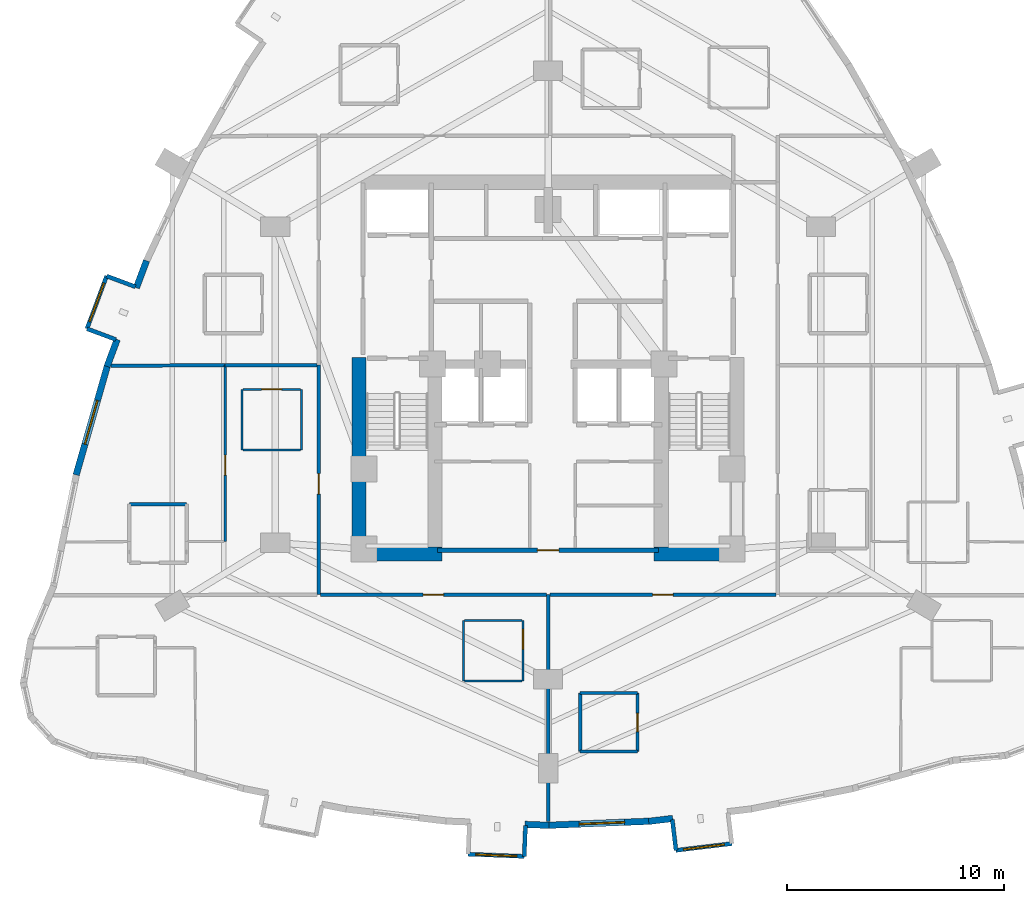
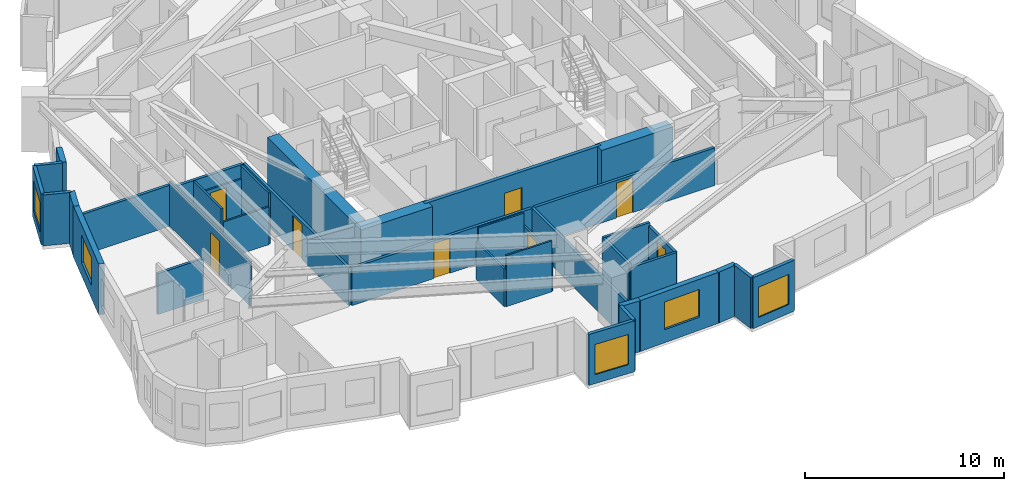
# One storey, part 7 of 13: 37 walls, 8 doors, 5 windows, 13 openings.
"""IFC4 building model written with IfcOpenShell, lengths in metres."""

from ifc_helpers import new_model, si_unit, direction, frame, frame_2d, origin, place, context, subcontext, project, spatial, rectangle, extrude, material, layer, layer_set, type_object, element, fill, save


model = new_model("IFC4")

# Units and contexts
model_context = context("Model", 3, precision=1e-05, world=origin(), true_north=direction((0.0, 1.0)))
body_context = subcontext(model_context, "Body", "Model", "MODEL_VIEW")
ifc_project = project(units=[si_unit("LENGTHUNIT", "METRE"), si_unit("AREAUNIT", "SQUARE_METRE"), si_unit("VOLUMEUNIT", "CUBIC_METRE"), si_unit("PLANEANGLEUNIT", "RADIAN"), si_unit("MASSUNIT", "GRAM", prefix="KILO")], contexts=[model_context])

# Site, building, storey
site_placement = place(None, origin())
site = spatial("IfcSite", under=ifc_project, at=site_placement, CompositionType="ELEMENT")
building_placement = place(site_placement, origin())
building = spatial("IfcBuilding", under=site, at=building_placement, Name="Miruveldt Soraemaru", CompositionType="ELEMENT")
storey_placement = place(building_placement, frame((0.0, 0.0, 73.39990234375)))
storey = spatial("IfcBuildingStorey", under=building, at=storey_placement, Name="L20", CompositionType="ELEMENT", Elevation=73.39990234375)

# Walls
ifc_material_1 = material(Name="White powder-coated aluminium EN AW-6060 T6", Category="aluminium")
ifc_layer_1 = layer(ifc_material_1, 0.18994140625, Name="White powder-coated aluminium EN AW-6060 T6", Category="aluminium")
ifc_layer_set_1 = layer_set([ifc_layer_1], Name="White powder-coated aluminium EN AW-6060 T6")
wall_type_1 = type_object("IfcWallType", Name="WALL-BAY-ALU190", PredefinedType="SOLIDWALL", material=ifc_layer_set_1)
wall_1_placement = place(storey_placement, frame((24.942626953125, 47.62060546875, 0.0), z_axis=(0.0, 0.0, 1.0), x_axis=(-0.937108491365, 0.349038214831, 0.0)))
element("IfcWall", 1, at=wall_1_placement, inside=storey, type_object=wall_type_1, Name="L20 Bay Window Side Cheek 2L", PredefinedType="SOLIDWALL", context=body_context, shape_type="SweptSolid", body=[
    extrude(rectangle(XDim=1.4248046875, YDim=0.18994140625, at=frame_2d((0.71240234375, 0.0))), origin(), (0.0, 0.0, 1.0), 3.125),
])
wall_2_placement = place(storey_placement, frame((22.69970703125, 45.681640625, 0.0), z_axis=(0.0, 0.0, 1.0), x_axis=(0.937073323404, -0.34913262031, 0.0)))
element("IfcWall", 2, at=wall_2_placement, inside=storey, type_object=wall_type_1, Name="L20 Bay Window Side Cheek 2R", PredefinedType="SOLIDWALL", context=body_context, shape_type="SweptSolid", body=[
    extrude(rectangle(XDim=1.425048828125, YDim=0.18994140625, at=frame_2d((0.71240234375, 0.0))), origin(), (0.0, 0.0, 1.0), 3.125),
])

# Wall, opening, window
wall_3_placement = place(storey_placement, frame((23.607421875, 48.117919921875, 0.0), z_axis=(0.0, 0.0, 1.0), x_axis=(-0.349136509553, -0.93707187435, 0.0)))
wall_3 = element("IfcWall", 3, at=wall_3_placement, inside=storey, type_object=wall_type_1, Name="L20 Bay Window Front Frame 2", PredefinedType="SOLIDWALL", context=body_context, shape_type="SweptSolid", body=[
    extrude(rectangle(XDim=2.599853515625, YDim=0.18994140625, at=frame_2d((1.2998046875, 0.0))), origin(), (0.0, 0.0, 1.0), 3.125),
])
opening_1_placement = place(wall_3_placement, frame((0.35009765625, 0.0, 0.550048828125)))
opening_1 = element("IfcOpeningElement", 4, at=opening_1_placement, cuts=wall_3, Name="Opening WN-6", PredefinedType="OPENING", context=body_context, shape_type="SweptSolid", body=[
    extrude(rectangle(XDim=1.89990234375, YDim=1.85009765625, at=frame_2d((0.949951171875, 0.925048828125))), frame((0.0, 0.10498046875, 0.0), z_axis=(0.0, -1.0, 0.0), x_axis=(1.0, 0.0, 0.0)), (0.0, 0.0, 1.0), 0.2099609375),
])
ifc_material_2 = material(Name="Triple low-e insulated glazing", Category="glass")
window_type_1 = type_object("IfcWindowType", Name="WIN-BAYW-1900x1850", PartitioningType="SINGLE_PANEL", PredefinedType="WINDOW", material=ifc_material_2)
window_1_placement = place(opening_1_placement, origin())
window_1 = element("IfcWindow", 5, at=window_1_placement, inside=storey, type_object=window_type_1, Name="L20 Projecting Bay Window 2", OverallHeight=1.85009765625, OverallWidth=1.89990234375, PartitioningType="SINGLE_PANEL", PredefinedType="WINDOW", context=body_context, shape_type="SweptSolid", body=[
    extrude(rectangle(XDim=1.89990234375, YDim=1.85009765625, at=frame_2d((0.949951171875, 0.925048828125))), frame((0.0, 0.030029296875, 0.0), z_axis=(0.0, -1.0, 0.0), x_axis=(1.0, 0.0, 0.0)), (0.0, 0.0, 1.0), 0.06005859375),
])
fill(opening_1, window_1)

# Wall
wall_4_placement = place(storey_placement, frame((42.89990234375, 21.310546875, 0.0), z_axis=(0.0, 0.0, 1.0), x_axis=(0.039920142234, 0.999202873417, 0.0)))
element("IfcWall", 6, at=wall_4_placement, inside=storey, type_object=wall_type_1, Name="L20 Bay Window Side Cheek 4R", PredefinedType="SOLIDWALL", context=body_context, shape_type="SweptSolid", body=[
    extrude(rectangle(XDim=1.425048828125, YDim=0.18994140625, at=frame_2d((0.71240234375, 0.0))), origin(), (0.0, 0.0, 1.0), 3.125),
])

# Wall, opening, window
wall_5_placement = place(storey_placement, frame((40.302001953125, 21.41455078125, 0.0), z_axis=(0.0, 0.0, 1.0), x_axis=(0.999199608139, -0.040001788654, 0.0)))
wall_5 = element("IfcWall", 7, at=wall_5_placement, inside=storey, type_object=wall_type_1, Name="L20 Bay Window Front Frame 4", PredefinedType="SOLIDWALL", context=body_context, shape_type="SweptSolid", body=[
    extrude(rectangle(XDim=2.60009765625, YDim=0.18994140625, at=frame_2d((1.300048828125, 0.0))), origin(), (0.0, 0.0, 1.0), 3.125),
])
opening_2_placement = place(wall_5_placement, frame((0.35009765625, 0.0, 0.550048828125)))
opening_2 = element("IfcOpeningElement", 8, at=opening_2_placement, cuts=wall_5, Name="Opening WN-6", PredefinedType="OPENING", context=body_context, shape_type="SweptSolid", body=[
    extrude(rectangle(XDim=1.89990234375, YDim=1.85009765625, at=frame_2d((0.949951171875, 0.925048828125))), frame((0.0, 0.10498046875, 0.0), z_axis=(0.0, -1.0, 0.0), x_axis=(1.0, 0.0, 0.0)), (0.0, 0.0, 1.0), 0.2099609375),
])
window_2_placement = place(opening_2_placement, origin())
window_2 = element("IfcWindow", 9, at=window_2_placement, inside=storey, type_object=window_type_1, Name="L20 Projecting Bay Window 4", OverallHeight=1.85009765625, OverallWidth=1.89990234375, PartitioningType="SINGLE_PANEL", PredefinedType="WINDOW", context=body_context, shape_type="SweptSolid", body=[
    extrude(rectangle(XDim=1.89990234375, YDim=1.85009765625, at=frame_2d((0.949951171875, 0.925048828125))), frame((0.0, 0.030029296875, 0.0), z_axis=(0.0, -1.0, 0.0), x_axis=(1.0, 0.0, 0.0)), (0.0, 0.0, 1.0), 0.06005859375),
])
fill(opening_2, window_2)

# Wall
wall_6_placement = place(storey_placement, frame((49.735595703125, 23.00634765625, 0.0), z_axis=(0.0, 0.0, 1.0), x_axis=(0.119226278009, -0.992867108244, 0.0)))
element("IfcWall", 10, at=wall_6_placement, inside=storey, type_object=wall_type_1, Name="L20 Bay Window Side Cheek 5L", PredefinedType="SOLIDWALL", context=body_context, shape_type="SweptSolid", body=[
    extrude(rectangle(XDim=1.42529296875, YDim=0.18994140625, at=frame_2d((0.712646484375, 0.0))), origin(), (0.0, 0.0, 1.0), 3.125),
])

# Wall, opening, window
wall_7_placement = place(storey_placement, frame((49.905517578125, 21.59130859375, 0.0), z_axis=(0.0, 0.0, 1.0), x_axis=(0.992874172121, 0.119167438232, 0.0)))
wall_7 = element("IfcWall", 11, at=wall_7_placement, inside=storey, type_object=wall_type_1, Name="L20 Bay Window Front Frame 5", PredefinedType="SOLIDWALL", context=body_context, shape_type="SweptSolid", body=[
    extrude(rectangle(XDim=2.599853515625, YDim=0.18994140625, at=frame_2d((1.2998046875, 0.0))), origin(), (0.0, 0.0, 1.0), 3.125),
])
opening_3_placement = place(wall_7_placement, frame((0.35009765625, 0.0, 0.550048828125)))
opening_3 = element("IfcOpeningElement", 12, at=opening_3_placement, cuts=wall_7, Name="Opening WN-6", PredefinedType="OPENING", context=body_context, shape_type="SweptSolid", body=[
    extrude(rectangle(XDim=1.89990234375, YDim=1.85009765625, at=frame_2d((0.949951171875, 0.925048828125))), frame((0.0, 0.10498046875, 0.0), z_axis=(0.0, -1.0, 0.0), x_axis=(1.0, 0.0, 0.0)), (0.0, 0.0, 1.0), 0.2099609375),
])
window_3_placement = place(opening_3_placement, origin())
window_3 = element("IfcWindow", 13, at=window_3_placement, inside=storey, type_object=window_type_1, Name="L20 Projecting Bay Window 5", OverallHeight=1.85009765625, OverallWidth=1.89990234375, PartitioningType="SINGLE_PANEL", PredefinedType="WINDOW", context=body_context, shape_type="SweptSolid", body=[
    extrude(rectangle(XDim=1.89990234375, YDim=1.85009765625, at=frame_2d((0.949951171875, 0.925048828125))), frame((0.0, 0.030029296875, 0.0), z_axis=(0.0, -1.0, 0.0), x_axis=(1.0, 0.0, 0.0)), (0.0, 0.0, 1.0), 0.06005859375),
])
fill(opening_3, window_3)

# Walls
ifc_material_3 = material(Name="Concrete C80/95 (80 MPa)", Category="concrete")
ifc_layer_2 = layer(ifc_material_3, 0.64990234375, Name="Concrete C80/95 (80 MPa)", Category="concrete")
ifc_layer_set_2 = layer_set([ifc_layer_2], Name="Concrete C80/95 (80 MPa)")
wall_type_2 = type_object("IfcWallType", Name="WALL-CW-650", PredefinedType="SHEAR", material=ifc_layer_set_2)
for number, where, z_axis, x_axis, name in (
    (14, (34.949951171875, 35.27490234375, 0.0), (0.0, 0.0, 1.0), (1.0, 0.0, 0.0), "L20 Central Core Shear Wall S1"),
    (15, (48.89990234375, 35.27490234375, 0.0), (0.0, 0.0, 1.0), (1.0, 0.0, 0.0), "L20 Central Core Shear Wall S2"),
):
    element("IfcWall", number, at=place(storey_placement, frame(where, z_axis=z_axis, x_axis=x_axis)), inside=storey, type_object=wall_type_2, Name=name, PredefinedType="SHEAR", context=body_context, shape_type="SweptSolid", body=[
        extrude(rectangle(XDim=4.150146484375, YDim=0.64990234375, at=frame_2d((2.0751953125, 0.0))), origin(), (0.0, 0.0, 1.0), 3.125),
    ])
wall_8_placement = place(storey_placement, frame((35.27490234375, 34.949951171875, 0.0), z_axis=(0.0, 0.0, 1.0), x_axis=(0.0, 1.0, 0.0)))
element("IfcWall", 16, at=wall_8_placement, inside=storey, type_object=wall_type_2, Name="L20 Central Core Shear Wall W1", PredefinedType="SHEAR", context=body_context, shape_type="SweptSolid", body=[
    extrude(rectangle(XDim=9.400146484375, YDim=0.64990234375, at=frame_2d((4.7001953125, 0.0))), origin(), (0.0, 0.0, 1.0), 3.125),
])
ifc_material_4 = material(Name="Precast concrete C45/55 (45 MPa)", Category="concrete")
ifc_layer_3 = layer(ifc_material_4, 0.300048828125, Name="Precast concrete C45/55 (45 MPa)", Category="concrete")
ifc_layer_set_3 = layer_set([ifc_layer_3], Name="Precast concrete C45/55 (45 MPa)")
wall_type_3 = type_object("IfcWallType", Name="WALL-EXT-PC300", PredefinedType="SOLIDWALL", material=ifc_layer_set_3)
for number, where, z_axis, x_axis, name in (
    (17, (25.4501953125, 48.825927734375, 0.0), (0.0, 0.0, 1.0), (-0.349020970694, -0.937114913987, 0.0), "L20 Precast Pier Wall 12A"),
    (18, (24.09716796875, 45.193115234375, 0.0), (0.0, 0.0, 1.0), (-0.349020970694, -0.937114913987, 0.0), "L20 Precast Pier Wall 12B"),
):
    element("IfcWall", number, at=place(storey_placement, frame(where, z_axis=z_axis, x_axis=x_axis)), inside=storey, type_object=wall_type_3, Name=name, PredefinedType="SOLIDWALL", context=body_context, shape_type="SweptSolid", body=[
        extrude(rectangle(XDim=1.336669921875, YDim=0.300048828125, at=frame_2d((0.66845703125, 0.0))), origin(), (0.0, 0.0, 1.0), 3.125),
    ])

# Wall, opening, window
wall_9_placement = place(storey_placement, frame((23.65234375, 44.0068359375, 0.0), z_axis=(0.0, 0.0, 1.0), x_axis=(-0.27494105121, -0.961461085203, 0.0)))
wall_9 = element("IfcWall", 19, at=wall_9_placement, inside=storey, type_object=wall_type_3, Name="L20 Precast Concrete Facade Wall 13", PredefinedType="SOLIDWALL", context=body_context, shape_type="SweptSolid", body=[
    extrude(rectangle(XDim=5.278076171875, YDim=0.300048828125, at=frame_2d((2.63916015625, 0.0))), origin(), (0.0, 0.0, 1.0), 3.125),
])
opening_4_placement = place(wall_9_placement, frame((1.702880859375, 0.0, 0.800048828125)))
opening_4 = element("IfcOpeningElement", 20, at=opening_4_placement, cuts=wall_9, Name="Opening WN-1", PredefinedType="OPENING", context=body_context, shape_type="SweptSolid", body=[
    extrude(rectangle(XDim=2.10009765625, YDim=1.699951171875, at=frame_2d((1.050048828125, 0.85009765625))), frame((0.0, 0.16015625, 0.0), z_axis=(0.0, -1.0, 0.0), x_axis=(1.0, 0.0, 0.0)), (0.0, 0.0, 1.0), 0.320068359375),
])
window_type_2 = type_object("IfcWindowType", Name="WIN-PUNCH-2100x1700", PartitioningType="SINGLE_PANEL", PredefinedType="WINDOW", material=ifc_material_2)
window_4_placement = place(opening_4_placement, origin())
window_4 = element("IfcWindow", 21, at=window_4_placement, inside=storey, type_object=window_type_2, Name="L20 Punched Triple-Glazed Window 13.1", OverallHeight=1.699951171875, OverallWidth=2.10009765625, PartitioningType="SINGLE_PANEL", PredefinedType="WINDOW", context=body_context, shape_type="SweptSolid", body=[
    extrude(rectangle(XDim=2.10009765625, YDim=1.699951171875, at=frame_2d((1.050048828125, 0.85009765625))), frame((0.0, 0.030029296875, 0.0), z_axis=(0.0, -1.0, 0.0), x_axis=(1.0, 0.0, 0.0)), (0.0, 0.0, 1.0), 0.06005859375),
])
fill(opening_4, window_4)

# Wall
wall_10_placement = place(storey_placement, frame((42.928955078125, 22.79052734375, 0.0), z_axis=(0.0, 0.0, 1.0), x_axis=(0.999202719529, -0.039923993871, 0.0)))
element("IfcWall", 22, at=wall_10_placement, inside=storey, type_object=wall_type_3, Name="L20 Precast Pier Wall 24B", PredefinedType="SOLIDWALL", context=body_context, shape_type="SweptSolid", body=[
    extrude(rectangle(XDim=1.10693359375, YDim=0.300048828125, at=frame_2d((0.553466796875, 0.0))), origin(), (0.0, 0.0, 1.0), 3.125),
])

# Wall, opening, window
wall_11_placement = place(storey_placement, frame((43.965087890625, 22.746337890625, 0.0), z_axis=(0.0, 0.0, 1.0), x_axis=(0.99920136889, 0.039957782832, 0.0)))
wall_11 = element("IfcWall", 23, at=wall_11_placement, inside=storey, type_object=wall_type_3, Name="L20 Precast Concrete Facade Wall 25", PredefinedType="SOLIDWALL", context=body_context, shape_type="SweptSolid", body=[
    extrude(rectangle(XDim=4.753662109375, YDim=0.300048828125, at=frame_2d((2.376953125, 0.0))), origin(), (0.0, 0.0, 1.0), 3.125),
])
opening_5_placement = place(wall_11_placement, frame((1.468017578125, 0.0, 0.800048828125)))
opening_5 = element("IfcOpeningElement", 24, at=opening_5_placement, cuts=wall_11, Name="Opening WN-1", PredefinedType="OPENING", context=body_context, shape_type="SweptSolid", body=[
    extrude(rectangle(XDim=2.10009765625, YDim=1.699951171875, at=frame_2d((1.050048828125, 0.85009765625))), frame((0.0, 0.16015625, 0.0), z_axis=(0.0, -1.0, 0.0), x_axis=(1.0, 0.0, 0.0)), (0.0, 0.0, 1.0), 0.320068359375),
])
window_5_placement = place(opening_5_placement, origin())
window_5 = element("IfcWindow", 25, at=window_5_placement, inside=storey, type_object=window_type_2, Name="L20 Punched Triple-Glazed Window 25.1", OverallHeight=1.699951171875, OverallWidth=2.10009765625, PartitioningType="SINGLE_PANEL", PredefinedType="WINDOW", context=body_context, shape_type="SweptSolid", body=[
    extrude(rectangle(XDim=2.10009765625, YDim=1.699951171875, at=frame_2d((1.050048828125, 0.85009765625))), frame((0.0, 0.030029296875, 0.0), z_axis=(0.0, -1.0, 0.0), x_axis=(1.0, 0.0, 0.0)), (0.0, 0.0, 1.0), 0.06005859375),
])
fill(opening_5, window_5)

# Wall
wall_12_placement = place(storey_placement, frame((48.64501953125, 22.930908203125, 0.0), z_axis=(0.0, 0.0, 1.0), x_axis=(0.992888162429, 0.119050816495, 0.0)))
element("IfcWall", 26, at=wall_12_placement, inside=storey, type_object=wall_type_3, Name="L20 Precast Pier Wall 26A", PredefinedType="SOLIDWALL", context=body_context, shape_type="SweptSolid", body=[
    extrude(rectangle(XDim=1.121826171875, YDim=0.300048828125, at=frame_2d((0.56103515625, 0.0))), origin(), (0.0, 0.0, 1.0), 3.125),
])

# Wall, opening, door
ifc_material_5 = material(Name="Gypsum plasterboard lining", Category="gypsum")
ifc_layer_4 = layer(ifc_material_5, 0.10009765625, Name="Gypsum plasterboard lining", Category="gypsum")
ifc_layer_set_4 = layer_set([ifc_layer_4], Name="Gypsum plasterboard lining")
wall_type_4 = type_object("IfcWallType", Name="WALL-INT-P100", PredefinedType="PARTITIONING", material=ifc_layer_set_4)
wall_13_placement = place(storey_placement, frame((29.0849609375, 44.0, 0.0), z_axis=(0.0, 0.0, 1.0), x_axis=(0.0, -1.0, 0.0)))
wall_13 = element("IfcWall", 27, at=wall_13_placement, inside=storey, type_object=wall_type_4, Name="L20 Partition Wall 48", PredefinedType="PARTITIONING", context=body_context, shape_type="SweptSolid", body=[
    extrude(rectangle(XDim=8.14990234375, YDim=0.10009765625, at=frame_2d((4.074951171875, 0.0))), origin(), (0.0, 0.0, 1.0), 2.713134765625),
])
opening_6_placement = place(wall_13_placement, frame((4.155029296875, 0.0, 0.0)))
opening_6 = element("IfcOpeningElement", 28, at=opening_6_placement, cuts=wall_13, Name="Opening D3A", PredefinedType="OPENING", context=body_context, shape_type="SweptSolid", body=[
    extrude(rectangle(XDim=0.919921875, YDim=2.10009765625, at=frame_2d((0.4599609375, 1.050048828125))), frame((0.0, 0.06005859375, 0.0), z_axis=(0.0, -1.0, 0.0), x_axis=(1.0, 0.0, 0.0)), (0.0, 0.0, 1.0), 0.1201171875),
])
ifc_material_6 = material(Name="Anodised aluminium EN AW-6063 T6", Category="aluminium")
door_type_1 = type_object("IfcDoorType", Name="DOOR-INT-920", OperationType="NOTDEFINED", PredefinedType="DOOR", material=ifc_material_6)
door_1_placement = place(opening_6_placement, origin())
door_1 = element("IfcDoor", 29, at=door_1_placement, inside=storey, type_object=door_type_1, Name="L20 Unit 2003 BD1 Door", OperationType="SINGLE_SWING_RIGHT", OverallHeight=2.10009765625, OverallWidth=0.919921875, PredefinedType="DOOR", context=body_context, shape_type="SweptSolid", body=[
    extrude(rectangle(XDim=0.919921875, YDim=2.10009765625, at=frame_2d((0.4599609375, 1.050048828125))), frame((0.0, 0.02490234375, 0.0), z_axis=(0.0, -1.0, 0.0), x_axis=(1.0, 0.0, 0.0)), (0.0, 0.0, 1.0), 0.050048828125),
])
fill(opening_6, door_1)

wall_14_placement = place(storey_placement, frame((42.842041015625, 29.409912109375, 0.0), z_axis=(0.0, 0.0, 1.0), x_axis=(0.0, 1.0, 0.0)))
wall_14 = element("IfcWall", 30, at=wall_14_placement, inside=storey, type_object=wall_type_4, Name="L20 Partition Wall 85", PredefinedType="PARTITIONING", context=body_context, shape_type="SweptSolid", body=[
    extrude(rectangle(XDim=2.800048828125, YDim=0.10009765625, at=frame_2d((1.39990234375, 0.0))), origin(), (0.0, 0.0, 1.0), 2.31298828125),
])
opening_7_placement = place(wall_14_placement, frame((1.47998046875, 0.0, 0.0)))
opening_7 = element("IfcOpeningElement", 31, at=opening_7_placement, cuts=wall_14, Name="Opening D3A", PredefinedType="OPENING", context=body_context, shape_type="SweptSolid", body=[
    extrude(rectangle(XDim=0.919921875, YDim=2.10009765625, at=frame_2d((0.4599609375, 1.050048828125))), frame((0.0, 0.06005859375, 0.0), z_axis=(0.0, -1.0, 0.0), x_axis=(1.0, 0.0, 0.0)), (0.0, 0.0, 1.0), 0.1201171875),
])
door_2_placement = place(opening_7_placement, origin())
door_2 = element("IfcDoor", 32, at=door_2_placement, inside=storey, type_object=door_type_1, Name="L20 Unit 2007 KIT Door", OperationType="SINGLE_SWING_RIGHT", OverallHeight=2.10009765625, OverallWidth=0.919921875, PredefinedType="DOOR", context=body_context, shape_type="SweptSolid", body=[
    extrude(rectangle(XDim=0.919921875, YDim=2.10009765625, at=frame_2d((0.4599609375, 1.050048828125))), frame((0.0, 0.02490234375, 0.0), z_axis=(0.0, -1.0, 0.0), x_axis=(1.0, 0.0, 0.0)), (0.0, 0.0, 1.0), 0.050048828125),
])
fill(opening_7, door_2)

wall_15_placement = place(storey_placement, frame((32.554931640625, 42.8798828125, 0.0), z_axis=(0.0, 0.0, 1.0), x_axis=(-1.0, 0.0, 0.0)))
wall_15 = element("IfcWall", 33, at=wall_15_placement, inside=storey, type_object=wall_type_4, Name="L20 Partition Wall 45", PredefinedType="PARTITIONING", context=body_context, shape_type="SweptSolid", body=[
    extrude(rectangle(XDim=2.64990234375, YDim=0.10009765625, at=frame_2d((1.324951171875, 0.0))), origin(), (0.0, 0.0, 1.0), 2.31298828125),
])
opening_8_placement = place(wall_15_placement, frame((0.864990234375, 0.0, 0.0)))
opening_8 = element("IfcOpeningElement", 34, at=opening_8_placement, cuts=wall_15, Name="Opening D3A", PredefinedType="OPENING", context=body_context, shape_type="SweptSolid", body=[
    extrude(rectangle(XDim=0.919921875, YDim=2.10009765625, at=frame_2d((0.4599609375, 1.050048828125))), frame((0.0, 0.06005859375, 0.0), z_axis=(0.0, -1.0, 0.0), x_axis=(1.0, 0.0, 0.0)), (0.0, 0.0, 1.0), 0.1201171875),
])
door_3_placement = place(opening_8_placement, origin())
door_3 = element("IfcDoor", 35, at=door_3_placement, inside=storey, type_object=door_type_1, Name="L20 Unit 2003 KIT Door", OperationType="SINGLE_SWING_LEFT", OverallHeight=2.10009765625, OverallWidth=0.919921875, PredefinedType="DOOR", context=body_context, shape_type="SweptSolid", body=[
    extrude(rectangle(XDim=0.919921875, YDim=2.10009765625, at=frame_2d((0.4599609375, 1.050048828125))), frame((0.0, 0.02490234375, 0.0), z_axis=(0.0, -1.0, 0.0), x_axis=(1.0, 0.0, 0.0)), (0.0, 0.0, 1.0), 0.050048828125),
])
fill(opening_8, door_3)

# Walls
for number, where, z_axis, x_axis, name in (
    (36, (32.60498046875, 40.080078125, 0.0), (0.0, 0.0, 1.0), (0.0, 1.0, 0.0), "L20 Partition Wall 44"),
    (37, (29.85498046875, 42.8798828125, 0.0), (0.0, 0.0, 1.0), (0.0, -1.0, 0.0), "L20 Partition Wall 46"),
):
    element("IfcWall", number, at=place(storey_placement, frame(where, z_axis=z_axis, x_axis=x_axis)), inside=storey, type_object=wall_type_4, Name=name, PredefinedType="PARTITIONING", context=body_context, shape_type="SweptSolid", body=[
        extrude(rectangle(XDim=2.7998046875, YDim=0.10009765625, at=frame_2d((1.39990234375, 0.0))), origin(), (0.0, 0.0, 1.0), 3.125),
    ])
wall_16_placement = place(storey_placement, frame((40.092041015625, 32.2099609375, 0.0), z_axis=(0.0, 0.0, 1.0), x_axis=(0.0, -1.0, 0.0)))
element("IfcWall", 38, at=wall_16_placement, inside=storey, type_object=wall_type_4, Name="L20 Partition Wall 87", PredefinedType="PARTITIONING", context=body_context, shape_type="SweptSolid", body=[
    extrude(rectangle(XDim=2.800048828125, YDim=0.10009765625, at=frame_2d((1.39990234375, 0.0))), origin(), (0.0, 0.0, 1.0), 2.31298828125),
])
wall_17_placement = place(storey_placement, frame((29.905029296875, 40.080078125, 0.0), z_axis=(0.0, 0.0, 1.0), x_axis=(1.0, 0.0, 0.0)))
element("IfcWall", 39, at=wall_17_placement, inside=storey, type_object=wall_type_4, Name="L20 Partition Wall 47", PredefinedType="PARTITIONING", context=body_context, shape_type="SweptSolid", body=[
    extrude(rectangle(XDim=2.64990234375, YDim=0.10009765625, at=frame_2d((1.324951171875, 0.0))), origin(), (0.0, 0.0, 1.0), 2.31298828125),
])
for number, where, z_axis, x_axis, name in (
    (40, (42.7919921875, 32.2099609375, 0.0), (0.0, 0.0, 1.0), (-1.0, 0.0, 0.0), "L20 Partition Wall 86"),
    (41, (40.14208984375, 29.409912109375, 0.0), (0.0, 0.0, 1.0), (1.0, 0.0, 0.0), "L20 Partition Wall 88"),
):
    element("IfcWall", number, at=place(storey_placement, frame(where, z_axis=z_axis, x_axis=x_axis)), inside=storey, type_object=wall_type_4, Name=name, PredefinedType="PARTITIONING", context=body_context, shape_type="SweptSolid", body=[
        extrude(rectangle(XDim=2.64990234375, YDim=0.10009765625, at=frame_2d((1.324951171875, 0.0))), origin(), (0.0, 0.0, 1.0), 3.125),
    ])

# Wall, opening, door
ifc_layer_5 = layer(ifc_material_5, 0.14990234375, Name="Gypsum plasterboard lining", Category="gypsum")
ifc_layer_set_5 = layer_set([ifc_layer_5], Name="Gypsum plasterboard lining")
wall_type_5 = type_object("IfcWallType", Name="WALL-INT-PLUMB", PredefinedType="PLUMBINGWALL", material=ifc_layer_set_5)
wall_18_placement = place(storey_placement, frame((48.1298828125, 26.159912109375, 0.0), z_axis=(0.0, 0.0, 1.0), x_axis=(0.0, 1.0, 0.0)))
wall_18 = element("IfcWall", 42, at=wall_18_placement, inside=storey, type_object=wall_type_5, Name="L20 Partition Wall 96", PredefinedType="PLUMBINGWALL", context=body_context, shape_type="SweptSolid", body=[
    extrude(rectangle(XDim=2.7001953125, YDim=0.14990234375, at=frame_2d((1.35009765625, 0.0))), origin(), (0.0, 0.0, 1.0), 2.51318359375),
])
opening_9_placement = place(wall_18_placement, frame((0.909912109375, 0.0, 0.0)))
opening_9 = element("IfcOpeningElement", 43, at=opening_9_placement, cuts=wall_18, Name="Opening FD3", PredefinedType="OPENING", context=body_context, shape_type="SweptSolid", body=[
    extrude(rectangle(XDim=0.85009765625, YDim=2.10009765625, at=frame_2d((0.425048828125, 1.050048828125))), frame((0.0, 0.0849609375, 0.0), z_axis=(0.0, -1.0, 0.0), x_axis=(1.0, 0.0, 0.0)), (0.0, 0.0, 1.0), 0.169921875),
])
door_type_2 = type_object("IfcDoorType", Name="DOOR-FD3-850", OperationType="NOTDEFINED", PredefinedType="DOOR", material=ifc_material_6)
door_4_placement = place(opening_9_placement, origin())
door_4 = element("IfcDoor", 44, at=door_4_placement, inside=storey, type_object=door_type_2, Name="L20 Unit 2008 BTH Door", OperationType="SINGLE_SWING_LEFT", OverallHeight=2.10009765625, OverallWidth=0.85009765625, PredefinedType="DOOR", context=body_context, shape_type="SweptSolid", body=[
    extrude(rectangle(XDim=0.85009765625, YDim=2.10009765625, at=frame_2d((0.425048828125, 1.050048828125))), frame((0.0, 0.02490234375, 0.0), z_axis=(0.0, -1.0, 0.0), x_axis=(1.0, 0.0, 0.0)), (0.0, 0.0, 1.0), 0.050048828125),
])
fill(opening_9, door_4)

# Walls
wall_19_placement = place(storey_placement, frame((45.47998046875, 28.860107421875, 0.0), z_axis=(0.0, 0.0, 1.0), x_axis=(0.0, -1.0, 0.0)))
element("IfcWall", 45, at=wall_19_placement, inside=storey, type_object=wall_type_5, Name="L20 Partition Wall 98", PredefinedType="PLUMBINGWALL", context=body_context, shape_type="SweptSolid", body=[
    extrude(rectangle(XDim=2.7001953125, YDim=0.14990234375, at=frame_2d((1.35009765625, 0.0))), origin(), (0.0, 0.0, 1.0), 2.713134765625),
])
wall_20_placement = place(storey_placement, frame((48.1298828125, 28.860107421875, 0.0), z_axis=(0.0, 0.0, 1.0), x_axis=(-1.0, 0.0, 0.0)))
element("IfcWall", 46, at=wall_20_placement, inside=storey, type_object=wall_type_5, Name="L20 Partition Wall 97", PredefinedType="PLUMBINGWALL", context=body_context, shape_type="SweptSolid", body=[
    extrude(rectangle(XDim=2.64990234375, YDim=0.14990234375, at=frame_2d((1.324951171875, 0.0))), origin(), (0.0, 0.0, 1.0), 2.713134765625),
])
for number, where, z_axis, x_axis, name in (
    (47, (45.47998046875, 26.159912109375, 0.0), (0.0, 0.0, 1.0), (1.0, 0.0, 0.0), "L20 Partition Wall 99"),
    (48, (27.304931640625, 37.580078125, 0.0), (0.0, 0.0, 1.0), (-1.0, 0.0, 0.0), "L20 Partition Wall 54"),
):
    element("IfcWall", number, at=place(storey_placement, frame(where, z_axis=z_axis, x_axis=x_axis)), inside=storey, type_object=wall_type_5, Name=name, PredefinedType="PLUMBINGWALL", context=body_context, shape_type="SweptSolid", body=[
        extrude(rectangle(XDim=2.64990234375, YDim=0.14990234375, at=frame_2d((1.324951171875, 0.0))), origin(), (0.0, 0.0, 1.0), 2.51318359375),
    ])

# Wall, opening, door
ifc_material_7 = material(Name="Concrete C40/50 (40 MPa)", Category="concrete")
ifc_layer_6 = layer(ifc_material_7, 0.159912109375, Name="Concrete C40/50 (40 MPa)", Category="concrete")
ifc_layer_set_6 = layer_set([ifc_layer_6], Name="Concrete C40/50 (40 MPa)")
wall_type_6 = type_object("IfcWallType", Name="WALL-INT-RC160", PredefinedType="SOLIDWALL", material=ifc_layer_set_6)
wall_21_placement = place(storey_placement, frame((33.39990234375, 44.0, 0.0), z_axis=(0.0, 0.0, 1.0), x_axis=(0.0, -1.0, 0.0)))
wall_21 = element("IfcWall", 49, at=wall_21_placement, inside=storey, type_object=wall_type_6, Name="L20 Partition Wall 5", PredefinedType="SOLIDWALL", context=body_context, shape_type="SweptSolid", body=[
    extrude(rectangle(XDim=10.60009765625, YDim=0.159912109375, at=frame_2d((5.300048828125, 0.0))), origin(), (0.0, 0.0, 1.0), 2.31298828125),
])
opening_10_placement = place(wall_21_placement, frame((5.0048828125, 0.0, 0.0)))
opening_10 = element("IfcOpeningElement", 50, at=opening_10_placement, cuts=wall_21, Name="Opening FD2", PredefinedType="OPENING", context=body_context, shape_type="SweptSolid", body=[
    extrude(rectangle(XDim=0.949951171875, YDim=2.14990234375, at=frame_2d((0.47509765625, 1.074951171875))), frame((0.0, 0.08984375, 0.0), z_axis=(0.0, -1.0, 0.0), x_axis=(1.0, 0.0, 0.0)), (0.0, 0.0, 1.0), 0.179931640625),
])
door_type_3 = type_object("IfcDoorType", Name="DOOR-FD2-950", OperationType="NOTDEFINED", PredefinedType="DOOR", material=ifc_material_6)
door_5_placement = place(opening_10_placement, origin())
door_5 = element("IfcDoor", 51, at=door_5_placement, inside=storey, type_object=door_type_3, Name="L20 Unit 2003 Entrance Fire Door", OperationType="SINGLE_SWING_LEFT", OverallHeight=2.14990234375, OverallWidth=0.949951171875, PredefinedType="DOOR", context=body_context, shape_type="SweptSolid", body=[
    extrude(rectangle(XDim=0.949951171875, YDim=2.14990234375, at=frame_2d((0.47509765625, 1.074951171875))), frame((0.0, 0.02490234375, 0.0), z_axis=(0.0, -1.0, 0.0), x_axis=(1.0, 0.0, 0.0)), (0.0, 0.0, 1.0), 0.050048828125),
])
fill(opening_10, door_5)

wall_22_placement = place(storey_placement, frame((33.47998046875, 33.39990234375, 0.0), z_axis=(0.0, 0.0, 1.0), x_axis=(1.0, 0.0, 0.0)))
wall_22 = element("IfcWall", 52, at=wall_22_placement, inside=storey, type_object=wall_type_6, Name="L20 Partition Wall 9", PredefinedType="SOLIDWALL", context=body_context, shape_type="SweptSolid", body=[
    extrude(rectangle(XDim=10.43994140625, YDim=0.159912109375, at=frame_2d((5.219970703125, 0.0))), origin(), (0.0, 0.0, 1.0), 2.31298828125),
])
opening_11_placement = place(wall_22_placement, frame((4.7451171875, 0.0, 0.0)))
opening_11 = element("IfcOpeningElement", 53, at=opening_11_placement, cuts=wall_22, Name="Opening FD2", PredefinedType="OPENING", context=body_context, shape_type="SweptSolid", body=[
    extrude(rectangle(XDim=0.949951171875, YDim=2.14990234375, at=frame_2d((0.47509765625, 1.074951171875))), frame((0.0, 0.08984375, 0.0), z_axis=(0.0, -1.0, 0.0), x_axis=(1.0, 0.0, 0.0)), (0.0, 0.0, 1.0), 0.179931640625),
])
door_6_placement = place(opening_11_placement, origin())
door_6 = element("IfcDoor", 54, at=door_6_placement, inside=storey, type_object=door_type_3, Name="L20 Unit 2007 Entrance Fire Door", OperationType="SINGLE_SWING_RIGHT", OverallHeight=2.14990234375, OverallWidth=0.949951171875, PredefinedType="DOOR", context=body_context, shape_type="SweptSolid", body=[
    extrude(rectangle(XDim=0.949951171875, YDim=2.14990234375, at=frame_2d((0.47509765625, 1.074951171875))), frame((0.0, 0.02490234375, 0.0), z_axis=(0.0, -1.0, 0.0), x_axis=(1.0, 0.0, 0.0)), (0.0, 0.0, 1.0), 0.050048828125),
])
fill(opening_11, door_6)

wall_23_placement = place(storey_placement, frame((44.080078125, 33.39990234375, 0.0), z_axis=(0.0, 0.0, 1.0), x_axis=(1.0, 0.0, 0.0)))
wall_23 = element("IfcWall", 55, at=wall_23_placement, inside=storey, type_object=wall_type_6, Name="L20 Partition Wall 10", PredefinedType="SOLIDWALL", context=body_context, shape_type="SweptSolid", body=[
    extrude(rectangle(XDim=10.43994140625, YDim=0.159912109375, at=frame_2d((5.219970703125, 0.0))), origin(), (0.0, 0.0, 1.0), 2.31298828125),
])
opening_12_placement = place(wall_23_placement, frame((4.7451171875, 0.0, 0.0)))
opening_12 = element("IfcOpeningElement", 56, at=opening_12_placement, cuts=wall_23, Name="Opening FD2", PredefinedType="OPENING", context=body_context, shape_type="SweptSolid", body=[
    extrude(rectangle(XDim=0.949951171875, YDim=2.14990234375, at=frame_2d((0.47509765625, 1.074951171875))), frame((0.0, 0.08984375, 0.0), z_axis=(0.0, -1.0, 0.0), x_axis=(1.0, 0.0, 0.0)), (0.0, 0.0, 1.0), 0.179931640625),
])
door_7_placement = place(opening_12_placement, origin())
door_7 = element("IfcDoor", 57, at=door_7_placement, inside=storey, type_object=door_type_3, Name="L20 Unit 2008 Entrance Fire Door", OperationType="SINGLE_SWING_RIGHT", OverallHeight=2.14990234375, OverallWidth=0.949951171875, PredefinedType="DOOR", context=body_context, shape_type="SweptSolid", body=[
    extrude(rectangle(XDim=0.949951171875, YDim=2.14990234375, at=frame_2d((0.47509765625, 1.074951171875))), frame((0.0, 0.02490234375, 0.0), z_axis=(0.0, -1.0, 0.0), x_axis=(1.0, 0.0, 0.0)), (0.0, 0.0, 1.0), 0.050048828125),
])
fill(opening_12, door_7)

# Walls
wall_24_placement = place(storey_placement, frame((44.0, 22.9130859375, 0.0), z_axis=(0.0, 0.0, 1.0), x_axis=(0.0, 1.0, 0.0)))
element("IfcWall", 58, at=wall_24_placement, inside=storey, type_object=wall_type_6, Name="L20 Partition Wall 92", PredefinedType="SOLIDWALL", context=body_context, shape_type="SweptSolid", body=[
    extrude(rectangle(XDim=10.48681640625, YDim=0.159912109375, at=frame_2d((5.243408203125, 0.0))), origin(), (0.0, 0.0, 1.0), 2.31298828125),
])
wall_25_placement = place(storey_placement, frame((29.094970703125, 44.0, 0.0), z_axis=(0.0, 0.0, 1.0), x_axis=(-0.999985845773, -0.005320550211, 0.0)))
element("IfcWall", 59, at=wall_25_placement, inside=storey, type_object=wall_type_6, Name="L20 Partition Wall 56", PredefinedType="SOLIDWALL", context=body_context, shape_type="SweptSolid", body=[
    extrude(rectangle(XDim=5.27685546875, YDim=0.159912109375, at=frame_2d((2.638427734375, 0.0))), origin(), (0.0, 0.0, 1.0), 2.51318359375),
])
wall_26_placement = place(storey_placement, frame((33.31591796875, 44.0, 0.0), z_axis=(0.0, 0.0, 1.0), x_axis=(-1.0, 0.0, 0.0)))
element("IfcWall", 60, at=wall_26_placement, inside=storey, type_object=wall_type_6, Name="L20 Partition Wall 51", PredefinedType="SOLIDWALL", context=body_context, shape_type="SweptSolid", body=[
    extrude(rectangle(XDim=4.240966796875, YDim=0.159912109375, at=frame_2d((2.12060546875, 0.0))), origin(), (0.0, 0.0, 1.0), 2.31298828125),
])

# Wall, opening, door
ifc_layer_7 = layer(ifc_material_7, 0.199951171875, Name="Concrete C40/50 (40 MPa)", Category="concrete")
ifc_layer_set_7 = layer_set([ifc_layer_7], Name="Concrete C40/50 (40 MPa)")
wall_type_7 = type_object("IfcWallType", Name="WALL-INT-RC200", PredefinedType="SOLIDWALL", material=ifc_layer_set_7)
wall_27_placement = place(storey_placement, frame((38.89990234375, 35.449951171875, 0.0), z_axis=(0.0, 0.0, 1.0), x_axis=(1.0, 0.0, 0.0)))
wall_27 = element("IfcWall", 61, at=wall_27_placement, inside=storey, type_object=wall_type_7, Name="L20 Core Compartment Wall CS-S", PredefinedType="SOLIDWALL", context=body_context, shape_type="SweptSolid", body=[
    extrude(rectangle(XDim=10.2001953125, YDim=0.199951171875, at=frame_2d((5.10009765625, 0.0))), origin(), (0.0, 0.0, 1.0), 3.125),
])
opening_13_placement = place(wall_27_placement, frame((4.60009765625, 0.0, 0.0)))
opening_13 = element("IfcOpeningElement", 62, at=opening_13_placement, cuts=wall_27, Name="Opening FD1", PredefinedType="OPENING", context=body_context, shape_type="SweptSolid", body=[
    extrude(rectangle(XDim=1.0, YDim=2.14990234375, at=frame_2d((0.5, 1.074951171875))), frame((0.0, 0.10986328125, 0.0), z_axis=(0.0, -1.0, 0.0), x_axis=(1.0, 0.0, 0.0)), (0.0, 0.0, 1.0), 0.219970703125),
])
door_type_4 = type_object("IfcDoorType", Name="DOOR-FD1-1000", OperationType="NOTDEFINED", PredefinedType="DOOR", material=ifc_material_6)
door_8_placement = place(opening_13_placement, origin())
door_8 = element("IfcDoor", 63, at=door_8_placement, inside=storey, type_object=door_type_4, Name="L20 Core South Lobby Fire Door", OperationType="SINGLE_SWING_LEFT", OverallHeight=2.14990234375, OverallWidth=1.0, PredefinedType="DOOR", context=body_context, shape_type="SweptSolid", body=[
    extrude(rectangle(XDim=1.0, YDim=2.14990234375, at=frame_2d((0.5, 1.074951171875))), frame((0.0, 0.02490234375, 0.0), z_axis=(0.0, -1.0, 0.0), x_axis=(1.0, 0.0, 0.0)), (0.0, 0.0, 1.0), 0.050048828125),
])
fill(opening_13, door_8)

save(model, "model.ifc")
